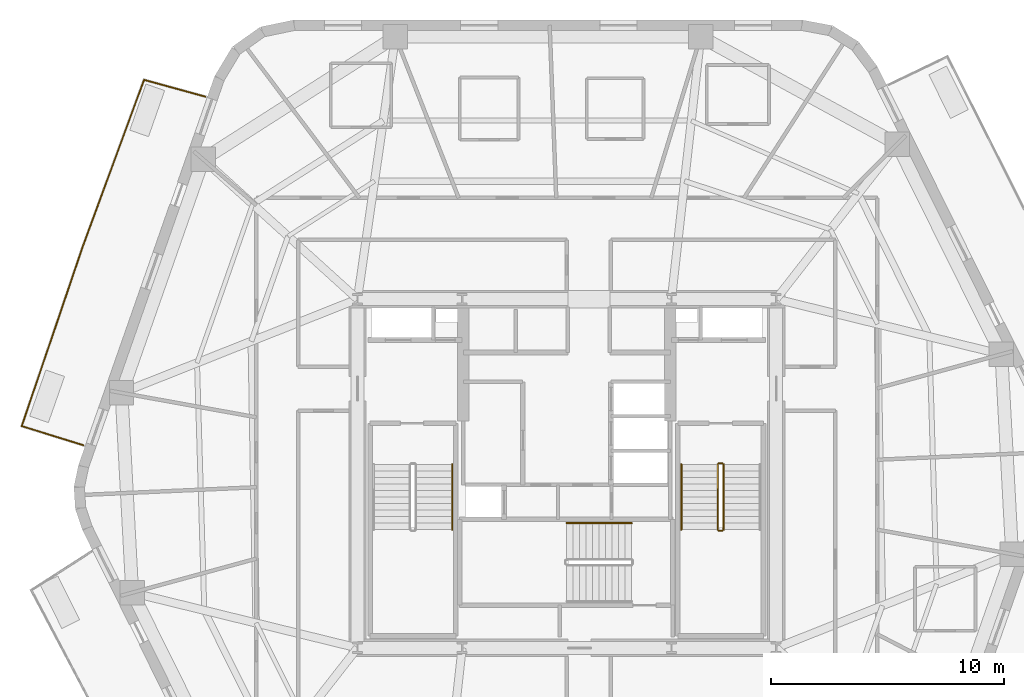
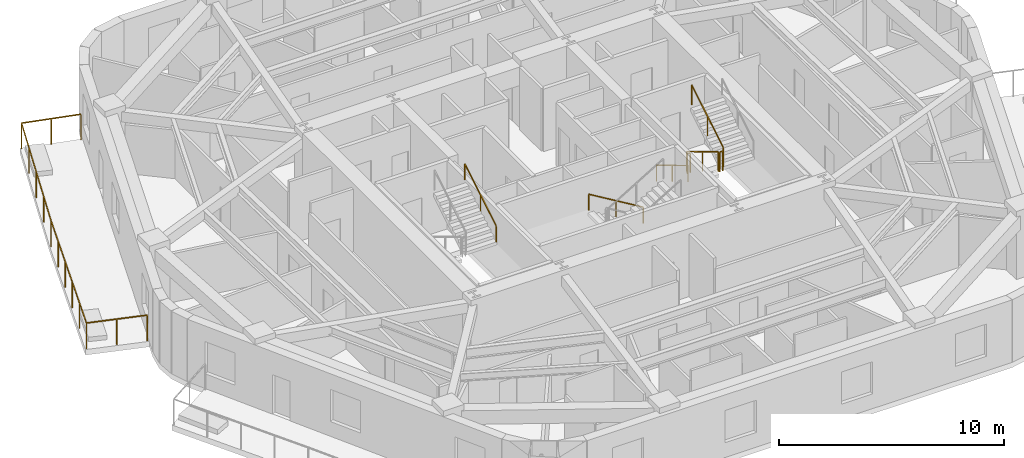
# One storey, part 9 of 10: 8 railings.
"""IFC4 building model written with IfcOpenShell, lengths in metres."""

from ifc_helpers import new_model, si_unit, direction, frame, origin, origin_2d, place, context, subcontext, project, spatial, rectangle, extrude, material, layer, layer_set, type_object, element, save


model = new_model("IFC4")

# Units and contexts
model_context = context("Model", 3, precision=1e-05, world=origin(), true_north=direction((0.0, 1.0)))
body_context = subcontext(model_context, "Body", "Model", "MODEL_VIEW")
ifc_project = project(units=[si_unit("LENGTHUNIT", "METRE"), si_unit("AREAUNIT", "SQUARE_METRE"), si_unit("VOLUMEUNIT", "CUBIC_METRE"), si_unit("PLANEANGLEUNIT", "RADIAN"), si_unit("MASSUNIT", "GRAM", prefix="KILO")], contexts=[model_context])

# Site, building, storey
site_placement = place(None, origin())
site = spatial("IfcSite", under=ifc_project, at=site_placement, CompositionType="ELEMENT")
building_placement = place(site_placement, origin())
building = spatial("IfcBuilding", under=site, at=building_placement, Name="Kilnhurst Terrace Hotel", CompositionType="ELEMENT")
storey_placement = place(building_placement, frame((0.0, 0.0, 179.300048828125)))
storey = spatial("IfcBuildingStorey", under=building, at=storey_placement, Name="L44", CompositionType="ELEMENT", Elevation=179.300048828125)

# Railings
ifc_material_1 = material(Name="Laminated SentryGlas and Stainless Steel AISI 316L Balustrade", Category="steel")
ifc_layer_1 = layer(ifc_material_1, 0.070068359375, Name="Laminated SentryGlas and Stainless Steel AISI 316L Balustrade")
ifc_layer_set_1 = layer_set([ifc_layer_1], Name="Laminated SentryGlas and Stainless Steel AISI 316L Balustrade")
railing_type_1 = type_object("IfcRailingType", Name="RLG-BAL-1420", PredefinedType="BALUSTRADE", material=ifc_layer_set_1)
railing_1_placement = place(storey_placement, frame((-20.783935546875, 1.215087890625, 0.0)))
element("IfcRailing", 1, at=railing_1_placement, inside=storey, type_object=railing_type_1, Name="L44 Exterior Terrace Guardrail BAL-L2A.1", PredefinedType="BALUSTRADE", context=body_context, shape_type="SweptSolid", body=[
    extrude(rectangle(XDim=0.048095703125, YDim=0.048095703125, at=origin_2d()), frame((0.0, 0.0, 1.39599609375), z_axis=(-0.954948187333, 0.29677257203, 0.0), x_axis=(-0.29677257203, -0.954948187333, 0.0)), (0.0, 0.0, 1.0), 2.7763671875),
    extrude(rectangle(XDim=0.048095703125, YDim=0.048095703125, at=origin_2d()), frame((-2.6513671875, 0.823974609375, 1.39599609375), z_axis=(0.321641701575, 0.946861455445, 0.0), x_axis=(-0.946861455445, 0.321641701575, 0.0)), (0.0, 0.0, 1.0), 8.082275390625),
    extrude(rectangle(XDim=0.048095703125, YDim=0.048095703125, at=origin_2d()), frame((-0.0517578125, 8.476806640625, 1.39599609375), z_axis=(0.344704120874, 0.938711387516, 0.0), x_axis=(-0.938711387516, 0.344704120874, 0.0)), (0.0, 0.0, 1.0), 7.7080078125),
    extrude(rectangle(XDim=0.048095703125, YDim=0.048095703125, at=origin_2d()), frame((2.605224609375, 15.71240234375, 1.39599609375), z_axis=(0.964239560757, -0.265032204593, 0.0), x_axis=(0.265032204593, 0.964239560757, 0.0)), (0.0, 0.0, 1.0), 2.739501953125),
    extrude(rectangle(XDim=0.0419921875, YDim=0.0419921875, at=origin_2d()), origin(), (0.0, 0.0, 1.0), 1.371826171875),
    extrude(rectangle(XDim=0.0419921875, YDim=0.0419921875, at=origin_2d()), frame((-1.32568359375, 0.412109375, 0.0)), (0.0, 0.0, 1.0), 1.371826171875),
    extrude(rectangle(XDim=0.0419921875, YDim=0.0419921875, at=origin_2d()), frame((-2.6513671875, 0.823974609375, 0.0)), (0.0, 0.0, 1.0), 1.371826171875),
    extrude(rectangle(XDim=0.0419921875, YDim=0.0419921875, at=origin_2d()), frame((-2.13134765625, 2.3544921875, 0.0)), (0.0, 0.0, 1.0), 1.371826171875),
    extrude(rectangle(XDim=0.0419921875, YDim=0.0419921875, at=origin_2d()), frame((-1.611572265625, 3.885009765625, 0.0)), (0.0, 0.0, 1.0), 1.371826171875),
    extrude(rectangle(XDim=0.0419921875, YDim=0.0419921875, at=origin_2d()), frame((-1.091552734375, 5.415771484375, 0.0)), (0.0, 0.0, 1.0), 1.371826171875),
    extrude(rectangle(XDim=0.0419921875, YDim=0.0419921875, at=origin_2d()), frame((-0.57177734375, 6.9462890625, 0.0)), (0.0, 0.0, 1.0), 1.371826171875),
    extrude(rectangle(XDim=0.0419921875, YDim=0.0419921875, at=origin_2d()), frame((-0.0517578125, 8.476806640625, 0.0)), (0.0, 0.0, 1.0), 1.371826171875),
    extrude(rectangle(XDim=0.0419921875, YDim=0.0419921875, at=origin_2d()), frame((0.612548828125, 10.28564453125, 0.0)), (0.0, 0.0, 1.0), 1.371826171875),
    extrude(rectangle(XDim=0.0419921875, YDim=0.0419921875, at=origin_2d()), frame((1.27685546875, 12.0947265625, 0.0)), (0.0, 0.0, 1.0), 1.371826171875),
    extrude(rectangle(XDim=0.0419921875, YDim=0.0419921875, at=origin_2d()), frame((1.94091796875, 13.903564453125, 0.0)), (0.0, 0.0, 1.0), 1.371826171875),
    extrude(rectangle(XDim=0.0419921875, YDim=0.0419921875, at=origin_2d()), frame((2.605224609375, 15.71240234375, 0.0)), (0.0, 0.0, 1.0), 1.371826171875),
    extrude(rectangle(XDim=0.0419921875, YDim=0.0419921875, at=origin_2d()), frame((3.926025390625, 15.349365234375, 0.0)), (0.0, 0.0, 1.0), 1.371826171875),
    extrude(rectangle(XDim=0.0419921875, YDim=0.0419921875, at=origin_2d()), frame((5.246826171875, 14.986328125, 0.0)), (0.0, 0.0, 1.0), 1.371826171875),
])
ifc_material_2 = material(Name="Powder-Coated Steel ASTM A500 Grade B", Category="steel")
ifc_layer_2 = layer(ifc_material_2, 0.050048828125, Name="Powder-Coated Steel ASTM A500 Grade B")
ifc_layer_set_2 = layer_set([ifc_layer_2], Name="Powder-Coated Steel ASTM A500 Grade B")
railing_type_2 = type_object("IfcRailingType", Name="RLG-ST-GRD-1100", PredefinedType="GUARDRAIL", material=ifc_layer_set_2)
railing_2_placement = place(storey_placement, frame((6.489990234375, 0.389892578125, 0.168212890625)))
element("IfcRailing", 2, at=railing_2_placement, inside=storey, type_object=railing_type_2, Name="L44 ST-2 stair guard 1", PredefinedType="GUARDRAIL", context=body_context, shape_type="SweptSolid", body=[
    extrude(rectangle(XDim=0.048095703125, YDim=0.048095703125, at=origin_2d()), frame((0.0, 0.0, 1.076171875), z_axis=(0.0, -0.857255387014, 0.514891446264), x_axis=(1.0, 0.0, 0.0)), (0.0, 0.0, 1.0), 3.26611328125),
    extrude(rectangle(XDim=0.0419921875, YDim=0.0419921875, at=origin_2d()), origin(), (0.0, 0.0, 1.0), 1.052001953125),
    extrude(rectangle(XDim=0.0419921875, YDim=0.0419921875, at=origin_2d()), frame((0.0, -1.39990234375, 0.8408203125)), (0.0, 0.0, 1.0), 1.052001953125),
    extrude(rectangle(XDim=0.0419921875, YDim=0.0419921875, at=origin_2d()), frame((0.0, -2.7998046875, 1.681640625)), (0.0, 0.0, 1.0), 1.052001953125),
])
railing_3_placement = place(storey_placement, frame((6.5400390625, -2.4599609375, 1.849853515625)))
element("IfcRailing", 3, at=railing_3_placement, inside=storey, type_object=railing_type_2, Name="L44 ST-2 stair guard 2", PredefinedType="GUARDRAIL", context=body_context, shape_type="SweptSolid", body=[
    extrude(rectangle(XDim=0.048095703125, YDim=0.048095703125, at=origin_2d()), frame((0.0, 0.0, 1.076171875), z_axis=(1.0, 0.0, 0.0), x_axis=(0.0, 1.0, 0.0)), (0.0, 0.0, 1.0), 0.14990234375),
    extrude(rectangle(XDim=0.0419921875, YDim=0.0419921875, at=origin_2d()), origin(), (0.0, 0.0, 1.0), 1.052001953125),
    extrude(rectangle(XDim=0.0419921875, YDim=0.0419921875, at=origin_2d()), frame((0.14990234375, 0.0, 0.0)), (0.0, 0.0, 1.0), 1.052001953125),
])
railing_4_placement = place(storey_placement, frame((6.739990234375, -2.409912109375, 2.01806640625)))
element("IfcRailing", 4, at=railing_4_placement, inside=storey, type_object=railing_type_2, Name="L44 ST-2 stair guard 3", PredefinedType="GUARDRAIL", context=body_context, shape_type="SweptSolid", body=[
    extrude(rectangle(XDim=0.048095703125, YDim=0.048095703125, at=origin_2d()), frame((0.0, 0.0, 1.076171875), z_axis=(0.0, 0.857222391501, 0.514946377315), x_axis=(-1.0, 0.0, 0.0)), (0.0, 0.0, 1.0), 3.26611328125),
    extrude(rectangle(XDim=0.0419921875, YDim=0.0419921875, at=origin_2d()), origin(), (0.0, 0.0, 1.0), 1.052001953125),
    extrude(rectangle(XDim=0.0419921875, YDim=0.0419921875, at=origin_2d()), frame((0.0, 1.39990234375, 0.8408203125)), (0.0, 0.0, 1.0), 1.052001953125),
    extrude(rectangle(XDim=0.0419921875, YDim=0.0419921875, at=origin_2d()), frame((0.0, 2.7998046875, 1.681884765625)), (0.0, 0.0, 1.0), 1.052001953125),
])
railing_5_placement = place(storey_placement, frame((6.5400390625, 0.43994140625, 0.0)))
element("IfcRailing", 5, at=railing_5_placement, inside=storey, type_object=railing_type_2, Name="L44 ST-2 stair guard 4", PredefinedType="GUARDRAIL", context=body_context, shape_type="SweptSolid", body=[
    extrude(rectangle(XDim=0.048095703125, YDim=0.048095703125, at=origin_2d()), frame((0.0, 0.0, 1.076171875), z_axis=(1.0, 0.0, 0.0), x_axis=(0.0, 1.0, 0.0)), (0.0, 0.0, 1.0), 0.14990234375),
    extrude(rectangle(XDim=0.0419921875, YDim=0.0419921875, at=origin_2d()), origin(), (0.0, 0.0, 1.0), 1.052001953125),
    extrude(rectangle(XDim=0.0419921875, YDim=0.0419921875, at=origin_2d()), frame((0.14990234375, 0.0, 0.0)), (0.0, 0.0, 1.0), 1.052001953125),
])
ifc_material_3 = material(Name="Brushed Stainless Steel AISI 304", Category="steel")
ifc_layer_3 = layer(ifc_material_3, 0.048095703125, Name="Brushed Stainless Steel AISI 304")
ifc_layer_set_3 = layer_set([ifc_layer_3], Name="Brushed Stainless Steel AISI 304")
railing_type_3 = type_object("IfcRailingType", Name="RLG-ST-HRL-900", PredefinedType="HANDRAIL", material=ifc_layer_set_3)
railing_6_placement = place(storey_placement, frame((-4.929931640625, -2.409912109375, 2.01806640625)))
element("IfcRailing", 6, at=railing_6_placement, inside=storey, type_object=railing_type_3, Name="L44 ST-1 stair handrail 2", PredefinedType="HANDRAIL", context=body_context, shape_type="SweptSolid", body=[
    extrude(rectangle(XDim=0.048095703125, YDim=0.048095703125, at=origin_2d()), frame((0.0, 0.0, 0.8759765625), z_axis=(0.0, 0.857222391501, 0.514946377315), x_axis=(-1.0, 0.0, 0.0)), (0.0, 0.0, 1.0), 3.26611328125),
    extrude(rectangle(XDim=0.0419921875, YDim=0.0419921875, at=origin_2d()), origin(), (0.0, 0.0, 1.0), 0.851806640625),
    extrude(rectangle(XDim=0.0419921875, YDim=0.0419921875, at=origin_2d()), frame((0.0, 1.39990234375, 0.8408203125)), (0.0, 0.0, 1.0), 0.851806640625),
    extrude(rectangle(XDim=0.0419921875, YDim=0.0419921875, at=origin_2d()), frame((0.0, 2.7998046875, 1.681884765625)), (0.0, 0.0, 1.0), 0.851806640625),
])
railing_7_placement = place(storey_placement, frame((4.929931640625, 0.389892578125, 0.168212890625)))
element("IfcRailing", 7, at=railing_7_placement, inside=storey, type_object=railing_type_3, Name="L44 ST-2 stair handrail 1", PredefinedType="HANDRAIL", context=body_context, shape_type="SweptSolid", body=[
    extrude(rectangle(XDim=0.048095703125, YDim=0.048095703125, at=origin_2d()), frame((0.0, 0.0, 0.8759765625), z_axis=(0.0, -0.857255387014, 0.514891446264), x_axis=(1.0, 0.0, 0.0)), (0.0, 0.0, 1.0), 3.26611328125),
    extrude(rectangle(XDim=0.0419921875, YDim=0.0419921875, at=origin_2d()), origin(), (0.0, 0.0, 1.0), 0.851806640625),
    extrude(rectangle(XDim=0.0419921875, YDim=0.0419921875, at=origin_2d()), frame((0.0, -1.39990234375, 0.8408203125)), (0.0, 0.0, 1.0), 0.851806640625),
    extrude(rectangle(XDim=0.0419921875, YDim=0.0419921875, at=origin_2d()), frame((0.0, -2.7998046875, 1.681640625)), (0.0, 0.0, 1.0), 0.851806640625),
])
railing_8_placement = place(storey_placement, frame((2.7900390625, -2.1298828125, 0.168212890625)))
element("IfcRailing", 8, at=railing_8_placement, inside=storey, type_object=railing_type_3, Name="L44 ST-3 stair handrail 1", PredefinedType="HANDRAIL", context=body_context, shape_type="SweptSolid", body=[
    extrude(rectangle(XDim=0.048095703125, YDim=0.048095703125, at=origin_2d()), frame((0.0, 0.0, 0.8759765625), z_axis=(-0.857275202839, 0.0, 0.514858452973), x_axis=(0.0, -1.0, 0.0)), (0.0, 0.0, 1.0), 3.26611328125),
    extrude(rectangle(XDim=0.0419921875, YDim=0.0419921875, at=origin_2d()), origin(), (0.0, 0.0, 1.0), 0.851806640625),
    extrude(rectangle(XDim=0.0419921875, YDim=0.0419921875, at=origin_2d()), frame((-1.39990234375, 0.0, 0.8408203125)), (0.0, 0.0, 1.0), 0.851806640625),
    extrude(rectangle(XDim=0.0419921875, YDim=0.0419921875, at=origin_2d()), frame((-2.800048828125, 0.0, 1.681640625)), (0.0, 0.0, 1.0), 0.851806640625),
])

save(model, "model.ifc")
